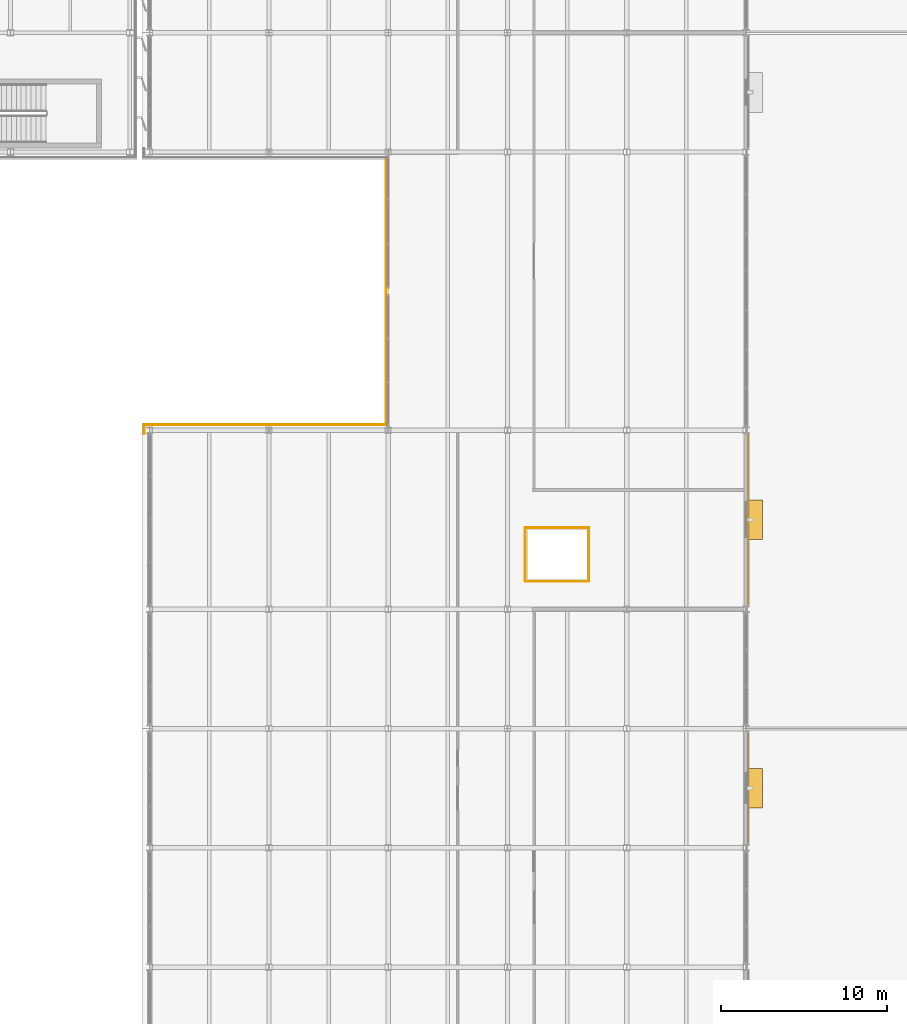
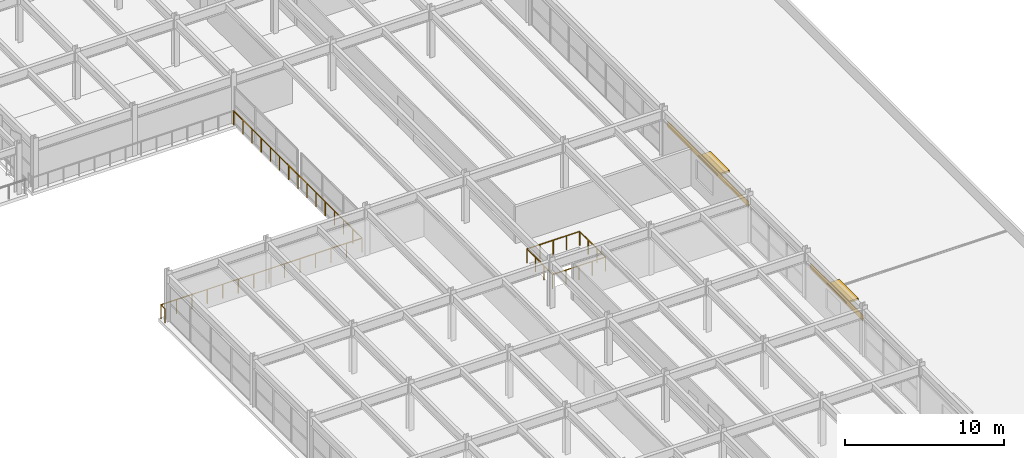
# One storey, part 73 of 80: 7 railings, 2 coverings, 2 shading devices.
"""IFC4 building model written with IfcOpenShell, lengths in metres."""

import ifcopenshell
import ifcopenshell.guid

model = None  # the IFC model being written
_history = None  # IfcOwnerHistory: only IFC2X3 demands one
_inside = {}  # id of a spatial element -> (the spatial element, [elements in it])
_under = {}  # id of a project, library or spatial element -> (it, [spatial elements below it])
_declared = {}  # id of a project -> (the project, [libraries it declares])
_typed = {}  # id of a type object -> (the type object, [elements of that type])
_made_of = {}  # id of a material, layer set ... -> (it, [elements and type objects made of it])


def new_model(schema):
    """Start an empty IFC model of exactly this schema.

    Asked for "IFC4X3", IfcOpenShell would pick the latest addendum, in which some entities
    have other attributes; the version numbers below select the first issue.
    IFC2X3 requires an IfcOwnerHistory on every rooted entity: one is made here for all.
    """
    global model, _history
    if schema == "IFC4X3":
        model = ifcopenshell.file(schema_version=(4, 3, 0, 0))
    else:
        model = ifcopenshell.file(schema=schema)
    _inside.clear()
    _under.clear()
    _declared.clear()
    _typed.clear()
    _made_of.clear()
    _history = None
    if model.schema == "IFC2X3":
        org = make("IfcOrganization", Name="unknown")
        user = make(
            "IfcPersonAndOrganization",
            ThePerson=make("IfcPerson", FamilyName="unknown"),
            TheOrganization=org,
        )
        app = make(
            "IfcApplication",
            ApplicationDeveloper=org,
            Version="unknown",
            ApplicationFullName="unknown",
            ApplicationIdentifier="unknown",
        )
        _history = make(
            "IfcOwnerHistory",
            OwningUser=user,
            OwningApplication=app,
            ChangeAction="ADDED",
            CreationDate=0,
        )
    return model


def make(cls, **values):
    """One entity of the class cls with the attributes given. An attribute that is None is left unset."""
    return model.create_entity(
        cls, **{name: value for name, value in values.items() if value is not None}
    )


def rooted(cls, **values):
    """An entity with a GlobalId (a new one), such as an element, a storey or a relation."""
    return make(cls, GlobalId=ifcopenshell.guid.new(), OwnerHistory=_history, **values)


def si_unit(unit_type, name, prefix=None):
    """IfcSIUnit, for example si_unit("LENGTHUNIT", "METRE", prefix="MILLI")."""
    return make("IfcSIUnit", UnitType=unit_type, Prefix=prefix, Name=name)


def assignment(units):
    """IfcUnitAssignment: the units of a project."""
    return None if units is None else make("IfcUnitAssignment", Units=units)


def point(xyz):
    """IfcCartesianPoint."""
    return None if xyz is None else make("IfcCartesianPoint", Coordinates=xyz)


def direction(xyz):
    """IfcDirection."""
    return None if xyz is None else make("IfcDirection", DirectionRatios=xyz)


def frame(location, z_axis=None, x_axis=None):
    """IfcAxis2Placement3D, a coordinate frame: its origin and axes. An axis left out is left unset."""
    return make(
        "IfcAxis2Placement3D",
        Location=point(location),
        Axis=direction(z_axis),
        RefDirection=direction(x_axis),
    )


def frame_2d(location, x_axis=None):
    """IfcAxis2Placement2D, a coordinate frame in the plane: its origin and x axis."""
    return make(
        "IfcAxis2Placement2D", Location=point(location), RefDirection=direction(x_axis)
    )


def origin():
    """The frame at (0, 0, 0) with its axes left unset."""
    return frame((0.0, 0.0, 0.0))


def origin_2d():
    """The frame at (0, 0) in the plane with its x axis left unset."""
    return frame_2d((0.0, 0.0))


def place(relative_to, where):
    """IfcLocalPlacement: puts the frame where relative to a parent placement (None: the world)."""
    return make(
        "IfcLocalPlacement", PlacementRelTo=relative_to, RelativePlacement=where
    )


def context(
    kind, dimensions, precision=None, world=None, true_north=None, identifier=None
):
    """IfcGeometricRepresentationContext, for example the 3D "Model" context."""
    return make(
        "IfcGeometricRepresentationContext",
        ContextIdentifier=identifier,
        ContextType=kind,
        CoordinateSpaceDimension=dimensions,
        Precision=precision,
        WorldCoordinateSystem=world,
        TrueNorth=true_north,
    )


def subcontext(parent, identifier, kind, view, scale=None):
    """IfcGeometricRepresentationSubContext, for example "Body" below "Model"."""
    return make(
        "IfcGeometricRepresentationSubContext",
        ContextIdentifier=identifier,
        ContextType=kind,
        ParentContext=parent,
        TargetScale=scale,
        TargetView=view,
    )


def project(units=None, contexts=None):
    """IfcProject with its units and contexts."""
    return rooted(
        "IfcProject",
        Name="project",
        RepresentationContexts=contexts,
        UnitsInContext=assignment(units),
    )


def spatial(cls, under=None, at=None, **own):
    """A site, building, storey or space (cls), placed at a placement, below another one or the project."""
    s = rooted(cls, ObjectPlacement=at, **own)
    if under is not None:
        _under.setdefault(under.id(), (under, []))[1].append(s)
    return s


def profile(cls, at=None, kind="AREA", **sizes):
    """A parametric profile (cls). Its sizes go by their IFC names, for example OverallWidth=200.0."""
    return make(cls, ProfileType=kind, Position=at, **sizes)


def rectangle(**sizes):
    """IfcRectangleProfileDef."""
    return profile("IfcRectangleProfileDef", **sizes)


def circle(**sizes):
    """IfcCircleProfileDef."""
    return profile("IfcCircleProfileDef", **sizes)


def extrude(swept, where, along, depth):
    """IfcExtrudedAreaSolid: the profile swept, set in the frame where, extruded along a direction by depth."""
    return make(
        "IfcExtrudedAreaSolid",
        SweptArea=swept,
        Position=where,
        ExtrudedDirection=direction(along),
        Depth=depth,
    )


def shape(context_of_items, identifier, shape_type, items):
    """IfcShapeRepresentation: the items that make up one representation, for example the "Body"."""
    return make(
        "IfcShapeRepresentation",
        ContextOfItems=context_of_items,
        RepresentationIdentifier=identifier,
        RepresentationType=shape_type,
        Items=items,
    )


def material(Name=None, Category=None):
    """IfcMaterial."""
    return make("IfcMaterial", Name=Name, Category=Category)


def layer(
    of_material, thickness, ventilated=None, Name=None, Category=None, Priority=None
):
    """IfcMaterialLayer: one layer of a wall or slab, of a material (None: an air gap)."""
    return make(
        "IfcMaterialLayer",
        Material=of_material,
        LayerThickness=thickness,
        IsVentilated=ventilated,
        Name=Name,
        Category=Category,
        Priority=Priority,
    )


def layer_set(layers, Name=None):
    """IfcMaterialLayerSet."""
    return make("IfcMaterialLayerSet", MaterialLayers=layers, LayerSetName=Name)


def made_of(thing, what):
    """Note that an element or type object is made of a material, layer set ...; save() writes the relation."""
    if what is not None:
        _made_of.setdefault(what.id(), (what, []))[1].append(thing)
    return thing


def type_object(cls, material=None, **own):
    """A type object (cls), such as IfcWallType, which elements share."""
    return made_of(rooted(cls, **own), material)


def element(
    cls,
    number,
    at=None,
    inside=None,
    cuts=None,
    type_object=None,
    material=None,
    context=None,
    identifier="Body",
    shape_type=None,
    held_by="IfcProductDefinitionShape",
    body=None,
    shapes=None,
    **own,
):
    """One element of the class cls, such as IfcWall. Its Tag is "e" and its number.

    at: its placement. inside: the storey or other place that contains it. cuts: it is an
    opening in that element (IfcRelVoidsElement). A single representation is given by context,
    identifier, shape_type and body (its items); several are given by shapes. held_by: the class
    of the entity that holds the representations. save() writes the other relations.
    """
    e = rooted(cls, Tag="e%d" % number, ObjectPlacement=at, **own)
    if body is not None:
        shapes = [shape(context, identifier, shape_type, body)]
    if shapes is not None:
        e.Representation = make(held_by, Representations=shapes)
    if inside is not None:
        _inside.setdefault(inside.id(), (inside, []))[1].append(e)
    if cuts is not None:
        rooted(
            "IfcRelVoidsElement", RelatingBuildingElement=cuts, RelatedOpeningElement=e
        )
    if type_object is not None:
        _typed.setdefault(type_object.id(), (type_object, []))[1].append(e)
    return made_of(e, material)


def aggregate(whole, parts):
    """IfcRelAggregates: a whole, such as a stair, and the parts it consists of."""
    return rooted("IfcRelAggregates", RelatingObject=whole, RelatedObjects=parts)


def save(model, path):
    """Write the relations noted so far, then the file.

    IfcRelAggregates (storeys below a building ...), IfcRelContainedInSpatialStructure (elements
    in a storey), IfcRelDefinesByType, IfcRelAssociatesMaterial and IfcRelDeclares: one each for
    every whole, place, type object, material and project.
    """
    for whole, parts in _under.values():
        aggregate(whole, parts)
    for where, things in _inside.values():
        rooted(
            "IfcRelContainedInSpatialStructure",
            RelatedElements=things,
            RelatingStructure=where,
        )
    for kind, things in _typed.values():
        rooted("IfcRelDefinesByType", RelatedObjects=things, RelatingType=kind)
    for what, things in _made_of.values():
        rooted("IfcRelAssociatesMaterial", RelatedObjects=things, RelatingMaterial=what)
    for by, libraries in _declared.values():
        rooted("IfcRelDeclares", RelatingContext=by, RelatedDefinitions=libraries)
    model.write(path)


model = new_model("IFC4")

# Units and contexts
model_context = context("Model", 3, precision=1e-05, world=origin(), true_north=direction((0.0, 1.0)))
body_context = subcontext(model_context, "Body", "Model", "MODEL_VIEW")
ifc_project = project(units=[si_unit("LENGTHUNIT", "METRE"), si_unit("AREAUNIT", "SQUARE_METRE"), si_unit("VOLUMEUNIT", "CUBIC_METRE"), si_unit("PLANEANGLEUNIT", "RADIAN"), si_unit("MASSUNIT", "GRAM", prefix="KILO")], contexts=[model_context])

# Site, building, storey
site_placement = place(None, origin())
site = spatial("IfcSite", under=ifc_project, at=site_placement, CompositionType="ELEMENT")
building_placement = place(site_placement, origin())
building = spatial("IfcBuilding", under=site, at=building_placement, Name="Vaelcorin Mobility Hub", CompositionType="ELEMENT")
storey_placement = place(building_placement, frame((0.0, 0.0, 9.300048828125)))
storey = spatial("IfcBuildingStorey", under=building, at=storey_placement, Name="L02", CompositionType="ELEMENT", Elevation=9.300048828125)

# Coverings
ifc_material_1 = material(Name="Extruded terracotta-bronze rainscreen panel", Category="masonry")
ifc_layer_1 = layer(ifc_material_1, 0.034912109375)
ifc_layer_set_1 = layer_set([ifc_layer_1], Name="Extruded terracotta-bronze rainscreen panel")
covering_type = type_object("IfcCoveringType", Name="COV-CLAD-35", PredefinedType="CLADDING", material=ifc_layer_set_1)
covering_1_placement = place(storey_placement, frame((189.739990234375, 38.39990234375, 2.35302734375), z_axis=(0.0, 0.0, 1.0), x_axis=(1.0, 0.0, 0.0)))
element("IfcCovering", 1, at=covering_1_placement, inside=storey, type_object=covering_type, Name="Terracotta-Bronze Facade Cladding L02-05", PredefinedType="CLADDING", context=body_context, shape_type="SweptSolid", body=[
    extrude(rectangle(XDim=0.028076171875, YDim=6.60009765625, at=origin_2d()), origin(), (0.0, 0.0, 1.0), 0.449951171875),
])
covering_2_placement = place(storey_placement, frame((189.739990234375, 54.60009765625, 2.35302734375), z_axis=(0.0, 0.0, 1.0), x_axis=(1.0, 0.0, 0.0)))
element("IfcCovering", 2, at=covering_2_placement, inside=storey, type_object=covering_type, Name="Terracotta-Bronze Facade Cladding L02-07", PredefinedType="CLADDING", context=body_context, shape_type="SweptSolid", body=[
    extrude(rectangle(XDim=0.028076171875, YDim=10.199951171875, at=origin_2d()), origin(), (0.0, 0.0, 1.0), 0.449951171875),
])

# Railings
ifc_material_2 = material(Name="Galvanised structural steel ASTM A36", Category="steel")
ifc_layer_2 = layer(ifc_material_2, 0.070068359375)
ifc_layer_set_2 = layer_set([ifc_layer_2], Name="Galvanised structural steel ASTM A36")
railing_type = type_object("IfcRailingType", Name="RL-GUARD-1100", PredefinedType="BALUSTRADE", material=ifc_layer_set_2)
railing_1_placement = place(storey_placement, frame((176.280029296875, 50.8798828125, 0.0)))
element("IfcRailing", 3, at=railing_1_placement, inside=storey, type_object=railing_type, Name="L02 Perimeter Guard GR-V5-L02-LW-01", PredefinedType="BALUSTRADE", context=body_context, shape_type="SweptSolid", body=[
    extrude(circle(Radius=0.02392578125, at=origin_2d()), frame((0.0, 0.0, 1.076171875), z_axis=(1.0, 0.0, 0.0), x_axis=(0.0, 1.0, 0.0)), (0.0, 0.0, 1.0), 3.840087890625),
    extrude(circle(Radius=0.02099609375, at=origin_2d()), origin(), (0.0, 0.0, 1.0), 1.052001953125),
    extrude(circle(Radius=0.02099609375, at=origin_2d()), frame((0.9599609375, 0.0, 0.0)), (0.0, 0.0, 1.0), 1.052001953125),
    extrude(circle(Radius=0.02099609375, at=origin_2d()), frame((1.919921875, 0.0, 0.0)), (0.0, 0.0, 1.0), 1.052001953125),
    extrude(circle(Radius=0.02099609375, at=origin_2d()), frame((2.880126953125, 0.0, 0.0)), (0.0, 0.0, 1.0), 1.052001953125),
    extrude(circle(Radius=0.02099609375, at=origin_2d()), frame((3.840087890625, 0.0, 0.0)), (0.0, 0.0, 1.0), 1.052001953125),
])
railing_2_placement = place(storey_placement, frame((180.1201171875, 50.8798828125, 0.0)))
element("IfcRailing", 4, at=railing_2_placement, inside=storey, type_object=railing_type, Name="L02 Perimeter Guard GR-V5-L02-LW-02", PredefinedType="BALUSTRADE", context=body_context, shape_type="SweptSolid", body=[
    extrude(circle(Radius=0.02392578125, at=origin_2d()), frame((0.0, 0.0, 1.076171875), z_axis=(0.0, 1.0, 0.0), x_axis=(-1.0, 0.0, 0.0)), (0.0, 0.0, 1.0), 3.240234375),
    extrude(circle(Radius=0.02099609375, at=origin_2d()), origin(), (0.0, 0.0, 1.0), 1.052001953125),
    extrude(circle(Radius=0.02099609375, at=origin_2d()), frame((0.0, 1.080078125, 0.0)), (0.0, 0.0, 1.0), 1.052001953125),
    extrude(circle(Radius=0.02099609375, at=origin_2d()), frame((0.0, 2.16015625, 0.0)), (0.0, 0.0, 1.0), 1.052001953125),
    extrude(circle(Radius=0.02099609375, at=origin_2d()), frame((0.0, 3.240234375, 0.0)), (0.0, 0.0, 1.0), 1.052001953125),
])
railing_3_placement = place(storey_placement, frame((180.1201171875, 54.1201171875, 0.0)))
element("IfcRailing", 5, at=railing_3_placement, inside=storey, type_object=railing_type, Name="L02 Perimeter Guard GR-V5-L02-LW-03", PredefinedType="BALUSTRADE", context=body_context, shape_type="SweptSolid", body=[
    extrude(circle(Radius=0.02392578125, at=origin_2d()), frame((0.0, 0.0, 1.076171875), z_axis=(-1.0, 0.0, 0.0), x_axis=(0.0, -1.0, 0.0)), (0.0, 0.0, 1.0), 3.840087890625),
    extrude(circle(Radius=0.02099609375, at=origin_2d()), origin(), (0.0, 0.0, 1.0), 1.052001953125),
    extrude(circle(Radius=0.02099609375, at=origin_2d()), frame((-0.9599609375, 0.0, 0.0)), (0.0, 0.0, 1.0), 1.052001953125),
    extrude(circle(Radius=0.02099609375, at=origin_2d()), frame((-1.919921875, 0.0, 0.0)), (0.0, 0.0, 1.0), 1.052001953125),
    extrude(circle(Radius=0.02099609375, at=origin_2d()), frame((-2.880126953125, 0.0, 0.0)), (0.0, 0.0, 1.0), 1.052001953125),
    extrude(circle(Radius=0.02099609375, at=origin_2d()), frame((-3.840087890625, 0.0, 0.0)), (0.0, 0.0, 1.0), 1.052001953125),
])
railing_4_placement = place(storey_placement, frame((176.280029296875, 54.1201171875, 0.0)))
element("IfcRailing", 6, at=railing_4_placement, inside=storey, type_object=railing_type, Name="L02 Perimeter Guard GR-V5-L02-LW-04", PredefinedType="BALUSTRADE", context=body_context, shape_type="SweptSolid", body=[
    extrude(circle(Radius=0.02392578125, at=origin_2d()), frame((0.0, 0.0, 1.076171875), z_axis=(0.0, -1.0, 0.0), x_axis=(1.0, 0.0, 0.0)), (0.0, 0.0, 1.0), 3.240234375),
    extrude(circle(Radius=0.02099609375, at=origin_2d()), origin(), (0.0, 0.0, 1.0), 1.052001953125),
    extrude(circle(Radius=0.02099609375, at=origin_2d()), frame((0.0, -1.080078125, 0.0)), (0.0, 0.0, 1.0), 1.052001953125),
    extrude(circle(Radius=0.02099609375, at=origin_2d()), frame((0.0, -2.16015625, 0.0)), (0.0, 0.0, 1.0), 1.052001953125),
    extrude(circle(Radius=0.02099609375, at=origin_2d()), frame((0.0, -3.240234375, 0.0)), (0.0, 0.0, 1.0), 1.052001953125),
])
railing_5_placement = place(storey_placement, frame((153.27001953125, 59.800048828125, 0.0)))
element("IfcRailing", 7, at=railing_5_placement, inside=storey, type_object=railing_type, Name="L02 Perimeter Guard GR-V5-L02-NOTCH-01", PredefinedType="BALUSTRADE", context=body_context, shape_type="SweptSolid", body=[
    extrude(circle(Radius=0.02392578125, at=origin_2d()), frame((0.0, 0.0, 1.076171875), z_axis=(0.0, 1.0, 0.0), x_axis=(-1.0, 0.0, 0.0)), (0.0, 0.0, 1.0), 0.530029296875),
    extrude(circle(Radius=0.02099609375, at=origin_2d()), origin(), (0.0, 0.0, 1.0), 1.052001953125),
    extrude(circle(Radius=0.02099609375, at=origin_2d()), frame((0.0, 0.530029296875, 0.0)), (0.0, 0.0, 1.0), 1.052001953125),
])
railing_6_placement = place(storey_placement, frame((153.27001953125, 60.330078125, 0.0)))
element("IfcRailing", 8, at=railing_6_placement, inside=storey, type_object=railing_type, Name="L02 Perimeter Guard GR-V5-L02-NOTCH-02", PredefinedType="BALUSTRADE", context=body_context, shape_type="SweptSolid", body=[
    extrude(circle(Radius=0.02392578125, at=origin_2d()), frame((0.0, 0.0, 1.076171875), z_axis=(1.0, 0.0, 0.0), x_axis=(0.0, 1.0, 0.0)), (0.0, 0.0, 1.0), 14.60986328125),
    extrude(circle(Radius=0.02099609375, at=origin_2d()), origin(), (0.0, 0.0, 1.0), 1.052001953125),
    extrude(circle(Radius=0.02099609375, at=origin_2d()), frame((1.123779296875, 0.0, 0.0)), (0.0, 0.0, 1.0), 1.052001953125),
    extrude(circle(Radius=0.02099609375, at=origin_2d()), frame((2.24755859375, 0.0, 0.0)), (0.0, 0.0, 1.0), 1.052001953125),
    extrude(circle(Radius=0.02099609375, at=origin_2d()), frame((3.37158203125, 0.0, 0.0)), (0.0, 0.0, 1.0), 1.052001953125),
    extrude(circle(Radius=0.02099609375, at=origin_2d()), frame((4.495361328125, 0.0, 0.0)), (0.0, 0.0, 1.0), 1.052001953125),
    extrude(circle(Radius=0.02099609375, at=origin_2d()), frame((5.619140625, 0.0, 0.0)), (0.0, 0.0, 1.0), 1.052001953125),
    extrude(circle(Radius=0.02099609375, at=origin_2d()), frame((6.742919921875, 0.0, 0.0)), (0.0, 0.0, 1.0), 1.052001953125),
    extrude(circle(Radius=0.02099609375, at=origin_2d()), frame((7.866943359375, 0.0, 0.0)), (0.0, 0.0, 1.0), 1.052001953125),
    extrude(circle(Radius=0.02099609375, at=origin_2d()), frame((8.99072265625, 0.0, 0.0)), (0.0, 0.0, 1.0), 1.052001953125),
    extrude(circle(Radius=0.02099609375, at=origin_2d()), frame((10.114501953125, 0.0, 0.0)), (0.0, 0.0, 1.0), 1.052001953125),
    extrude(circle(Radius=0.02099609375, at=origin_2d()), frame((11.23828125, 0.0, 0.0)), (0.0, 0.0, 1.0), 1.052001953125),
    extrude(circle(Radius=0.02099609375, at=origin_2d()), frame((12.3623046875, 0.0, 0.0)), (0.0, 0.0, 1.0), 1.052001953125),
    extrude(circle(Radius=0.02099609375, at=origin_2d()), frame((13.486083984375, 0.0, 0.0)), (0.0, 0.0, 1.0), 1.052001953125),
    extrude(circle(Radius=0.02099609375, at=origin_2d()), frame((14.60986328125, 0.0, 0.0)), (0.0, 0.0, 1.0), 1.052001953125),
])
railing_7_placement = place(storey_placement, frame((167.8798828125, 60.330078125, 0.0)))
element("IfcRailing", 9, at=railing_7_placement, inside=storey, type_object=railing_type, Name="L02 Perimeter Guard GR-V5-L02-NOTCH-03", PredefinedType="BALUSTRADE", context=body_context, shape_type="SweptSolid", body=[
    extrude(circle(Radius=0.02392578125, at=origin_2d()), frame((0.0, 0.0, 1.076171875), z_axis=(0.0, 1.0, 0.0), x_axis=(-1.0, 0.0, 0.0)), (0.0, 0.0, 1.0), 16.139892578125),
    extrude(circle(Radius=0.02099609375, at=origin_2d()), origin(), (0.0, 0.0, 1.0), 1.052001953125),
    extrude(circle(Radius=0.02099609375, at=origin_2d()), frame((0.0, 1.15283203125, 0.0)), (0.0, 0.0, 1.0), 1.052001953125),
    extrude(circle(Radius=0.02099609375, at=origin_2d()), frame((0.0, 2.3056640625, 0.0)), (0.0, 0.0, 1.0), 1.052001953125),
    extrude(circle(Radius=0.02099609375, at=origin_2d()), frame((0.0, 3.45849609375, 0.0)), (0.0, 0.0, 1.0), 1.052001953125),
    extrude(circle(Radius=0.02099609375, at=origin_2d()), frame((0.0, 4.611328125, 0.0)), (0.0, 0.0, 1.0), 1.052001953125),
    extrude(circle(Radius=0.02099609375, at=origin_2d()), frame((0.0, 5.76416015625, 0.0)), (0.0, 0.0, 1.0), 1.052001953125),
    extrude(circle(Radius=0.02099609375, at=origin_2d()), frame((0.0, 6.9169921875, 0.0)), (0.0, 0.0, 1.0), 1.052001953125),
    extrude(circle(Radius=0.02099609375, at=origin_2d()), frame((0.0, 8.06982421875, 0.0)), (0.0, 0.0, 1.0), 1.052001953125),
    extrude(circle(Radius=0.02099609375, at=origin_2d()), frame((0.0, 9.222900390625, 0.0)), (0.0, 0.0, 1.0), 1.052001953125),
    extrude(circle(Radius=0.02099609375, at=origin_2d()), frame((0.0, 10.375732421875, 0.0)), (0.0, 0.0, 1.0), 1.052001953125),
    extrude(circle(Radius=0.02099609375, at=origin_2d()), frame((0.0, 11.528564453125, 0.0)), (0.0, 0.0, 1.0), 1.052001953125),
    extrude(circle(Radius=0.02099609375, at=origin_2d()), frame((0.0, 12.681396484375, 0.0)), (0.0, 0.0, 1.0), 1.052001953125),
    extrude(circle(Radius=0.02099609375, at=origin_2d()), frame((0.0, 13.834228515625, 0.0)), (0.0, 0.0, 1.0), 1.052001953125),
    extrude(circle(Radius=0.02099609375, at=origin_2d()), frame((0.0, 14.987060546875, 0.0)), (0.0, 0.0, 1.0), 1.052001953125),
    extrude(circle(Radius=0.02099609375, at=origin_2d()), frame((0.0, 16.139892578125, 0.0)), (0.0, 0.0, 1.0), 1.052001953125),
])

# Shading devices
ifc_material_3 = material(Name="Perforated terracotta-bronze aluminium aerofoil", Category="masonry")
shading_device_type_1 = type_object("IfcShadingDeviceType", Name="SHD-JAL-1", PredefinedType="JALOUSIE", material=ifc_material_3)
shading_device_1_placement = place(storey_placement, frame((190.14990234375, 38.39990234375, 2.408203125), z_axis=(0.0, 0.0, 1.0), x_axis=(1.0, 0.0, 0.0)))
element("IfcShadingDevice", 10, at=shading_device_1_placement, inside=storey, type_object=shading_device_type_1, Name="Jalousie Sun-Hood L02-05", PredefinedType="JALOUSIE", context=body_context, shape_type="SweptSolid", body=[
    extrude(rectangle(XDim=0.89990234375, YDim=2.39990234375, at=origin_2d()), origin(), (0.0, 0.0, 1.0), 0.139892578125),
])
shading_device_type_2 = type_object("IfcShadingDeviceType", Name="SHD-JAL-2", PredefinedType="JALOUSIE", material=ifc_material_3)
shading_device_2_placement = place(storey_placement, frame((190.14990234375, 54.60009765625, 2.408203125), z_axis=(0.0, 0.0, 1.0), x_axis=(1.0, 0.0, 0.0)))
element("IfcShadingDevice", 11, at=shading_device_2_placement, inside=storey, type_object=shading_device_type_2, Name="Jalousie Sun-Hood L02-07", PredefinedType="JALOUSIE", context=body_context, shape_type="SweptSolid", body=[
    extrude(rectangle(XDim=0.89990234375, YDim=2.39990234375, at=origin_2d()), origin(), (0.0, 0.0, 1.0), 0.139892578125),
])

save(model, "model.ifc")
